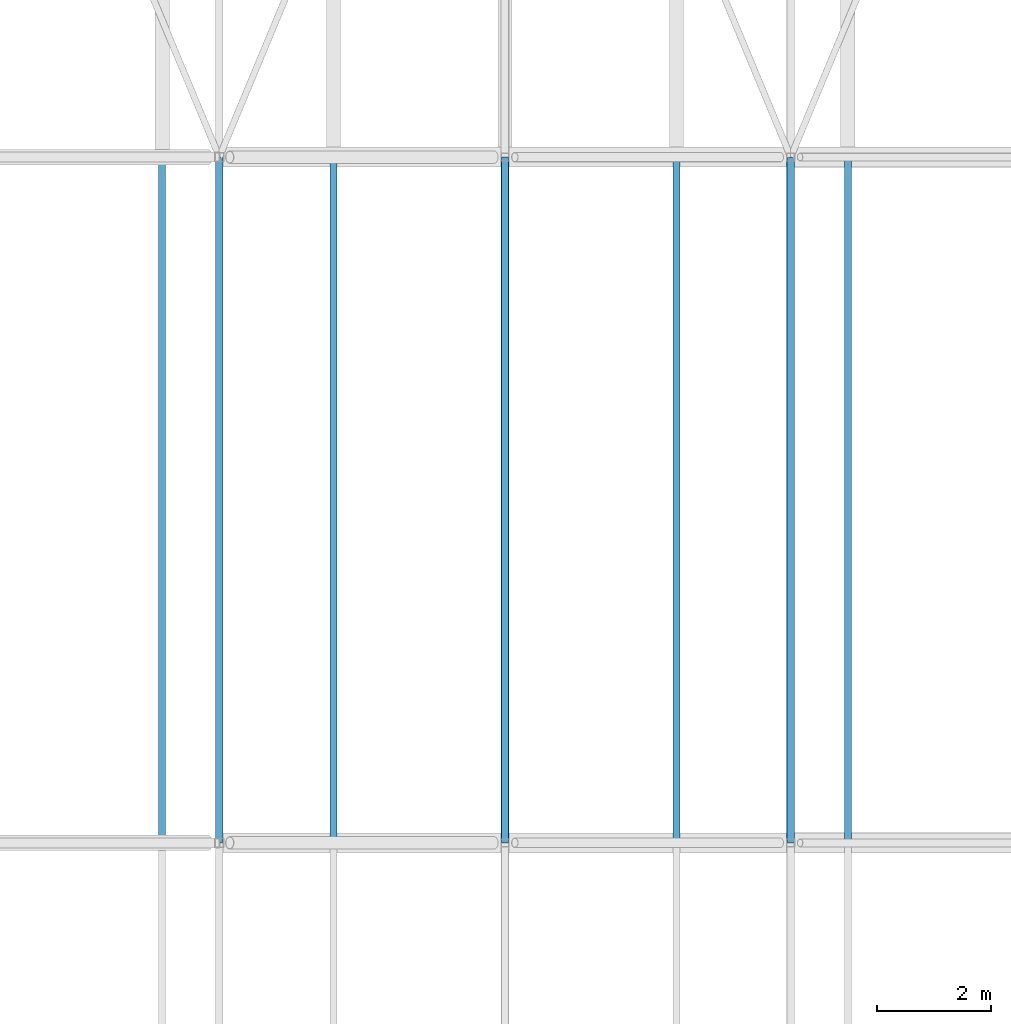
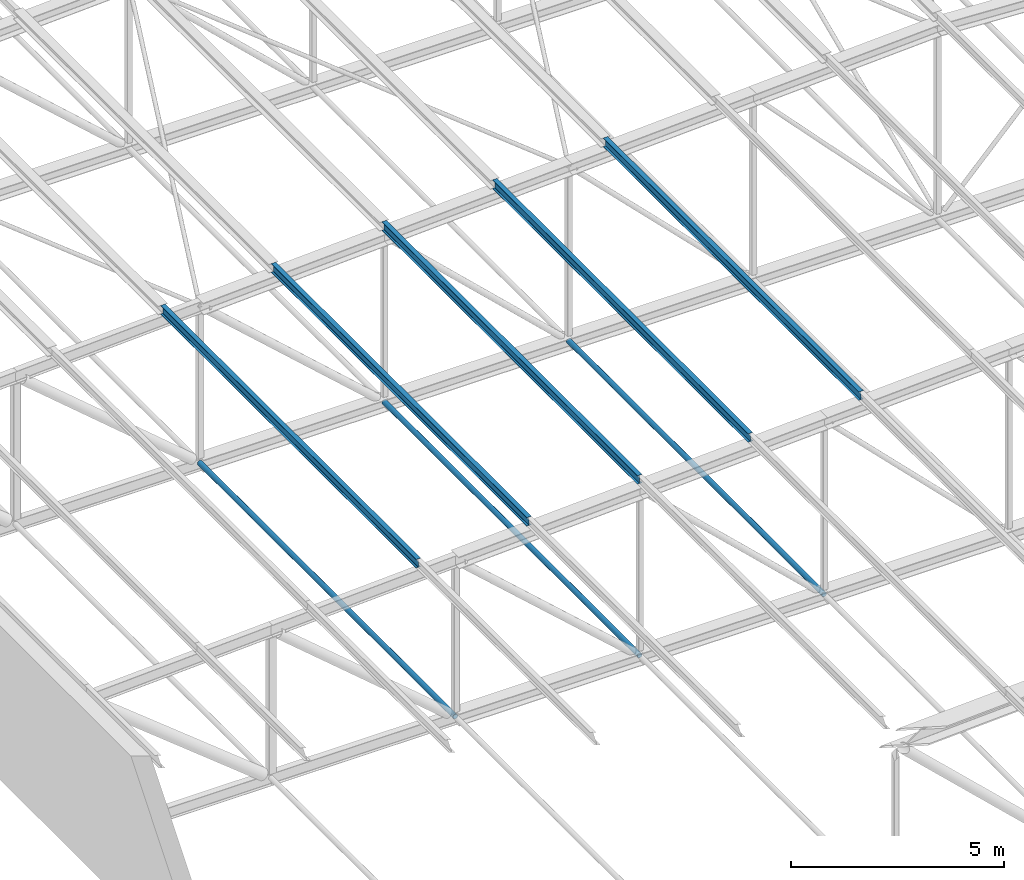
# One storey, part 93 of 156: 8 members.
"""IFC4 building model written with IfcOpenShell, lengths in metres."""

import ifcopenshell
import ifcopenshell.guid

model = None  # the IFC model being written
_history = None  # IfcOwnerHistory: only IFC2X3 demands one
_inside = {}  # id of a spatial element -> (the spatial element, [elements in it])
_under = {}  # id of a project, library or spatial element -> (it, [spatial elements below it])
_declared = {}  # id of a project -> (the project, [libraries it declares])
_typed = {}  # id of a type object -> (the type object, [elements of that type])
_made_of = {}  # id of a material, layer set ... -> (it, [elements and type objects made of it])


def new_model(schema):
    """Start an empty IFC model of exactly this schema.

    Asked for "IFC4X3", IfcOpenShell would pick the latest addendum, in which some entities
    have other attributes; the version numbers below select the first issue.
    IFC2X3 requires an IfcOwnerHistory on every rooted entity: one is made here for all.
    """
    global model, _history
    if schema == "IFC4X3":
        model = ifcopenshell.file(schema_version=(4, 3, 0, 0))
    else:
        model = ifcopenshell.file(schema=schema)
    _inside.clear()
    _under.clear()
    _declared.clear()
    _typed.clear()
    _made_of.clear()
    _history = None
    if model.schema == "IFC2X3":
        org = make("IfcOrganization", Name="unknown")
        user = make(
            "IfcPersonAndOrganization",
            ThePerson=make("IfcPerson", FamilyName="unknown"),
            TheOrganization=org,
        )
        app = make(
            "IfcApplication",
            ApplicationDeveloper=org,
            Version="unknown",
            ApplicationFullName="unknown",
            ApplicationIdentifier="unknown",
        )
        _history = make(
            "IfcOwnerHistory",
            OwningUser=user,
            OwningApplication=app,
            ChangeAction="ADDED",
            CreationDate=0,
        )
    return model


def make(cls, **values):
    """One entity of the class cls with the attributes given. An attribute that is None is left unset."""
    return model.create_entity(
        cls, **{name: value for name, value in values.items() if value is not None}
    )


def rooted(cls, **values):
    """An entity with a GlobalId (a new one), such as an element, a storey or a relation."""
    return make(cls, GlobalId=ifcopenshell.guid.new(), OwnerHistory=_history, **values)


def si_unit(unit_type, name, prefix=None):
    """IfcSIUnit, for example si_unit("LENGTHUNIT", "METRE", prefix="MILLI")."""
    return make("IfcSIUnit", UnitType=unit_type, Prefix=prefix, Name=name)


def assignment(units):
    """IfcUnitAssignment: the units of a project."""
    return None if units is None else make("IfcUnitAssignment", Units=units)


def point(xyz):
    """IfcCartesianPoint."""
    return None if xyz is None else make("IfcCartesianPoint", Coordinates=xyz)


def direction(xyz):
    """IfcDirection."""
    return None if xyz is None else make("IfcDirection", DirectionRatios=xyz)


def frame(location, z_axis=None, x_axis=None):
    """IfcAxis2Placement3D, a coordinate frame: its origin and axes. An axis left out is left unset."""
    return make(
        "IfcAxis2Placement3D",
        Location=point(location),
        Axis=direction(z_axis),
        RefDirection=direction(x_axis),
    )


def frame_2d(location, x_axis=None):
    """IfcAxis2Placement2D, a coordinate frame in the plane: its origin and x axis."""
    return make(
        "IfcAxis2Placement2D", Location=point(location), RefDirection=direction(x_axis)
    )


def origin():
    """The frame at (0, 0, 0) with its axes left unset."""
    return frame((0.0, 0.0, 0.0))


def origin_2d():
    """The frame at (0, 0) in the plane with its x axis left unset."""
    return frame_2d((0.0, 0.0))


def place(relative_to, where):
    """IfcLocalPlacement: puts the frame where relative to a parent placement (None: the world)."""
    return make(
        "IfcLocalPlacement", PlacementRelTo=relative_to, RelativePlacement=where
    )


def context(
    kind, dimensions, precision=None, world=None, true_north=None, identifier=None
):
    """IfcGeometricRepresentationContext, for example the 3D "Model" context."""
    return make(
        "IfcGeometricRepresentationContext",
        ContextIdentifier=identifier,
        ContextType=kind,
        CoordinateSpaceDimension=dimensions,
        Precision=precision,
        WorldCoordinateSystem=world,
        TrueNorth=true_north,
    )


def subcontext(parent, identifier, kind, view, scale=None):
    """IfcGeometricRepresentationSubContext, for example "Body" below "Model"."""
    return make(
        "IfcGeometricRepresentationSubContext",
        ContextIdentifier=identifier,
        ContextType=kind,
        ParentContext=parent,
        TargetScale=scale,
        TargetView=view,
    )


def project(units=None, contexts=None):
    """IfcProject with its units and contexts."""
    return rooted(
        "IfcProject",
        Name="project",
        RepresentationContexts=contexts,
        UnitsInContext=assignment(units),
    )


def spatial(cls, under=None, at=None, **own):
    """A site, building, storey or space (cls), placed at a placement, below another one or the project."""
    s = rooted(cls, ObjectPlacement=at, **own)
    if under is not None:
        _under.setdefault(under.id(), (under, []))[1].append(s)
    return s


def profile(cls, at=None, kind="AREA", **sizes):
    """A parametric profile (cls). Its sizes go by their IFC names, for example OverallWidth=200.0."""
    return make(cls, ProfileType=kind, Position=at, **sizes)


def hollow_circle(**sizes):
    """IfcCircleHollowProfileDef."""
    return profile("IfcCircleHollowProfileDef", **sizes)


def i_section(**sizes):
    """IfcIShapeProfileDef."""
    return profile("IfcIShapeProfileDef", **sizes)


def extrude(swept, where, along, depth):
    """IfcExtrudedAreaSolid: the profile swept, set in the frame where, extruded along a direction by depth."""
    return make(
        "IfcExtrudedAreaSolid",
        SweptArea=swept,
        Position=where,
        ExtrudedDirection=direction(along),
        Depth=depth,
    )


def shape(context_of_items, identifier, shape_type, items):
    """IfcShapeRepresentation: the items that make up one representation, for example the "Body"."""
    return make(
        "IfcShapeRepresentation",
        ContextOfItems=context_of_items,
        RepresentationIdentifier=identifier,
        RepresentationType=shape_type,
        Items=items,
    )


def material(Name=None, Category=None):
    """IfcMaterial."""
    return make("IfcMaterial", Name=Name, Category=Category)


def material_profile(
    of_material, cross_section, Name=None, Category=None, Priority=None
):
    """IfcMaterialProfile: a cross section and its material."""
    return make(
        "IfcMaterialProfile",
        Name=Name,
        Material=of_material,
        Profile=cross_section,
        Priority=Priority,
        Category=Category,
    )


def profile_set(profiles, Name=None, composite=None):
    """IfcMaterialProfileSet."""
    return make(
        "IfcMaterialProfileSet",
        Name=Name,
        MaterialProfiles=profiles,
        CompositeProfile=composite,
    )


def made_of(thing, what):
    """Note that an element or type object is made of a material, layer set ...; save() writes the relation."""
    if what is not None:
        _made_of.setdefault(what.id(), (what, []))[1].append(thing)
    return thing


def type_object(cls, material=None, **own):
    """A type object (cls), such as IfcWallType, which elements share."""
    return made_of(rooted(cls, **own), material)


def element(
    cls,
    number,
    at=None,
    inside=None,
    cuts=None,
    type_object=None,
    material=None,
    context=None,
    identifier="Body",
    shape_type=None,
    held_by="IfcProductDefinitionShape",
    body=None,
    shapes=None,
    **own,
):
    """One element of the class cls, such as IfcWall. Its Tag is "e" and its number.

    at: its placement. inside: the storey or other place that contains it. cuts: it is an
    opening in that element (IfcRelVoidsElement). A single representation is given by context,
    identifier, shape_type and body (its items); several are given by shapes. held_by: the class
    of the entity that holds the representations. save() writes the other relations.
    """
    e = rooted(cls, Tag="e%d" % number, ObjectPlacement=at, **own)
    if body is not None:
        shapes = [shape(context, identifier, shape_type, body)]
    if shapes is not None:
        e.Representation = make(held_by, Representations=shapes)
    if inside is not None:
        _inside.setdefault(inside.id(), (inside, []))[1].append(e)
    if cuts is not None:
        rooted(
            "IfcRelVoidsElement", RelatingBuildingElement=cuts, RelatedOpeningElement=e
        )
    if type_object is not None:
        _typed.setdefault(type_object.id(), (type_object, []))[1].append(e)
    return made_of(e, material)


def aggregate(whole, parts):
    """IfcRelAggregates: a whole, such as a stair, and the parts it consists of."""
    return rooted("IfcRelAggregates", RelatingObject=whole, RelatedObjects=parts)


def save(model, path):
    """Write the relations noted so far, then the file.

    IfcRelAggregates (storeys below a building ...), IfcRelContainedInSpatialStructure (elements
    in a storey), IfcRelDefinesByType, IfcRelAssociatesMaterial and IfcRelDeclares: one each for
    every whole, place, type object, material and project.
    """
    for whole, parts in _under.values():
        aggregate(whole, parts)
    for where, things in _inside.values():
        rooted(
            "IfcRelContainedInSpatialStructure",
            RelatedElements=things,
            RelatingStructure=where,
        )
    for kind, things in _typed.values():
        rooted("IfcRelDefinesByType", RelatedObjects=things, RelatingType=kind)
    for what, things in _made_of.values():
        rooted("IfcRelAssociatesMaterial", RelatedObjects=things, RelatingMaterial=what)
    for by, libraries in _declared.values():
        rooted("IfcRelDeclares", RelatingContext=by, RelatedDefinitions=libraries)
    model.write(path)


model = new_model("IFC4")

# Units and contexts
model_context = context("Model", 3, precision=1e-05, world=origin(), true_north=direction((0.0, 1.0)))
body_context = subcontext(model_context, "Body", "Model", "MODEL_VIEW")
ifc_project = project(units=[si_unit("LENGTHUNIT", "METRE"), si_unit("AREAUNIT", "SQUARE_METRE"), si_unit("VOLUMEUNIT", "CUBIC_METRE"), si_unit("PLANEANGLEUNIT", "RADIAN"), si_unit("MASSUNIT", "GRAM", prefix="KILO")], contexts=[model_context])

# Site, building, storey
site_placement = place(None, origin())
site = spatial("IfcSite", under=ifc_project, at=site_placement, CompositionType="ELEMENT")
building_placement = place(site_placement, origin())
building = spatial("IfcBuilding", under=site, at=building_placement, Name="Lilac Gate Convention Centre", CompositionType="ELEMENT")
storey_placement = place(building_placement, frame((0.0, 0.0, 17.0)))
storey = spatial("IfcBuildingStorey", under=building, at=storey_placement, Name="L03", CompositionType="ELEMENT", Elevation=17.0)

# Members
ifc_material = material(Name="Steel Q355B", Category="steel")
ifc_material_profile_1 = material_profile(ifc_material, hollow_circle(Radius=0.06982421875, WallThickness=0.0048828125, at=origin_2d()), Name="CHS139.7x5")
ifc_profile_set_1 = profile_set([ifc_material_profile_1], Name="Steel Q355B")
member_type_1 = type_object("IfcMemberType", Name="Bottom chord tie CHS139.7x5", PredefinedType="STRUT", material=ifc_profile_set_1)
member_placement = place(storey_placement, frame((40.0, 162.00341796875, 0.0), z_axis=(0.0, 1.0, 0.0), x_axis=(-1.0, 0.0, 0.0)))
element("IfcMember", 1, at=member_placement, inside=storey, type_object=member_type_1, Name="ST1 tie bay 12 node 3", PredefinedType="STRUT", context=body_context, shape_type="SweptSolid", body=[
    extrude(hollow_circle(Radius=0.06982421875, WallThickness=0.0048828125, at=origin_2d()), origin(), (0.0, 0.0, 1.0), 11.9931640625),
])
for number, where, z_axis, x_axis, name in (
    (2, (45.0, 162.006103515625, 0.0), (0.0, 1.0, 0.0), (-1.0, 0.0, 0.0), "ST1 tie bay 12 node 4"),
    (3, (50.0, 162.006103515625, 0.0), (0.0, 1.0, 0.0), (-1.0, 0.0, 0.0), "ST1 tie bay 12 node 5"),
):
    element("IfcMember", number, at=place(storey_placement, frame(where, z_axis=z_axis, x_axis=x_axis)), inside=storey, type_object=member_type_1, Name=name, PredefinedType="STRUT", context=body_context, shape_type="SweptSolid", body=[
        extrude(hollow_circle(Radius=0.06982421875, WallThickness=0.0048828125, at=origin_2d()), origin(), (0.0, 0.0, 1.0), 11.98779296875),
    ])
ifc_material_profile_2 = material_profile(ifc_material, i_section(OverallWidth=0.125, OverallDepth=0.25, WebThickness=0.006103515625, FlangeThickness=0.009033203125, FilletRadius=0.008056640625, at=origin_2d()), Name="HN250x125x6x9")
ifc_profile_set_2 = profile_set([ifc_material_profile_2], Name="Steel Q355B")
member_type_2 = type_object("IfcMemberType", Name="Roof purlin HN250x125x6x9", PredefinedType="PURLIN", material=ifc_profile_set_2)
for number, where, z_axis, x_axis, name in (
    (4, (39.0, 162.0, 4.750244140625), (0.0, 1.0, 0.0), (-1.0, 0.0, 0.0), "PU2 purlin bay 12 line 4"),
    (5, (42.0, 162.0, 4.900146484375), (0.0, 1.0, 0.0), (-1.0, 0.0, 0.0), "PU2 purlin bay 12 line 5"),
    (6, (45.0, 162.0, 5.05029296875), (0.0, 1.0, 0.0), (-1.0, 0.0, 0.0), "PU2 purlin bay 12 line 6"),
    (7, (48.0, 162.0, 5.2001953125), (0.0, 1.0, 0.0), (-1.0, 0.0, 0.0), "PU2 purlin bay 12 line 7"),
    (8, (51.0, 162.0, 5.35009765625), (0.0, 1.0, 0.0), (-1.0, 0.0, 0.0), "PU2 purlin bay 12 line 8"),
):
    element("IfcMember", number, at=place(storey_placement, frame(where, z_axis=z_axis, x_axis=x_axis)), inside=storey, type_object=member_type_2, Name=name, PredefinedType="PURLIN", context=body_context, shape_type="SweptSolid", body=[
        extrude(i_section(OverallWidth=0.125, OverallDepth=0.25, WebThickness=0.006103515625, FlangeThickness=0.009033203125, FilletRadius=0.008056640625, at=origin_2d()), origin(), (0.0, 0.0, 1.0), 12.0),
    ])

save(model, "model.ifc")
